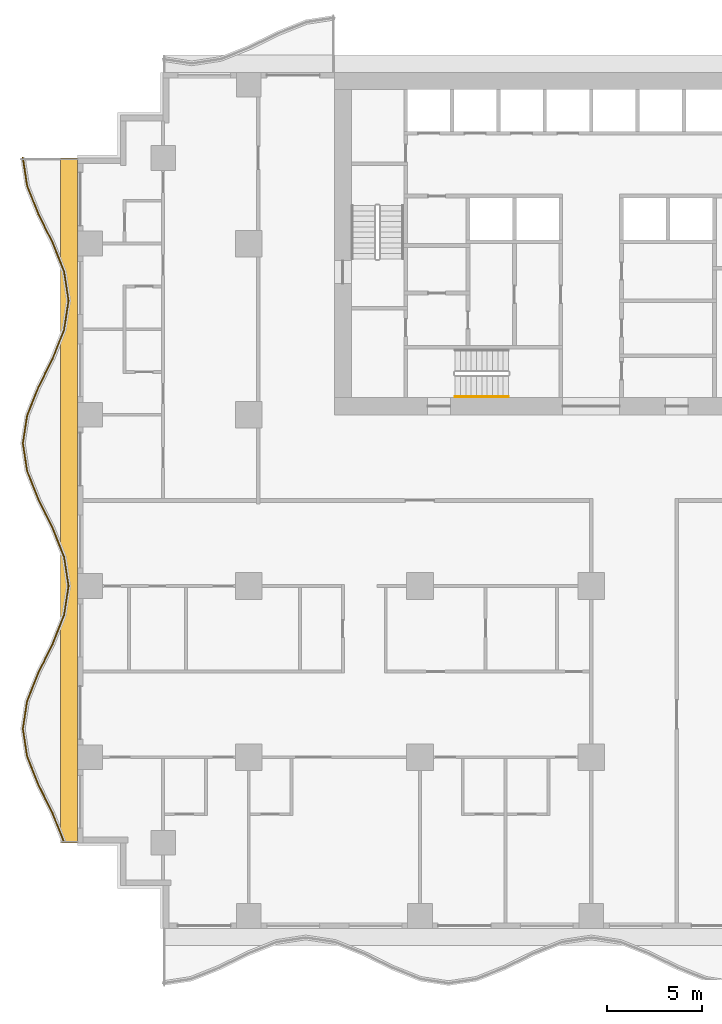
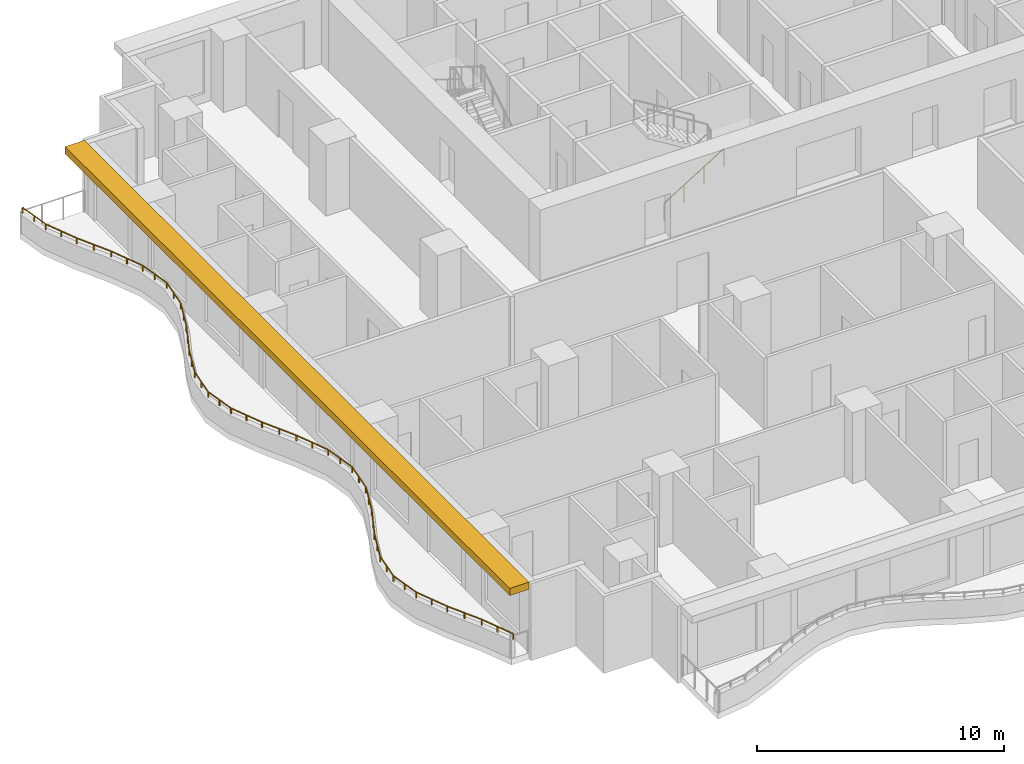
# One storey, part 9 of 14: 2 railings, 1 shading device.
"""IFC4 building model written with IfcOpenShell, lengths in metres."""

from ifc_helpers import new_model, si_unit, direction, frame, origin, origin_2d, place, context, subcontext, project, spatial, polyline, rectangle, circle, outline, extrude, material, layer, layer_set, type_object, element, save


model = new_model("IFC4")

# Units and contexts
model_context = context("Model", 3, precision=1e-05, world=origin(), true_north=direction((0.0, 1.0)))
body_context = subcontext(model_context, "Body", "Model", "MODEL_VIEW")
ifc_project = project(units=[si_unit("LENGTHUNIT", "METRE"), si_unit("AREAUNIT", "SQUARE_METRE"), si_unit("VOLUMEUNIT", "CUBIC_METRE"), si_unit("PLANEANGLEUNIT", "RADIAN"), si_unit("MASSUNIT", "GRAM", prefix="KILO")], contexts=[model_context])

# Site, building, storey
site_placement = place(None, origin())
site = spatial("IfcSite", under=ifc_project, at=site_placement, CompositionType="ELEMENT")
building_placement = place(site_placement, origin())
building = spatial("IfcBuilding", under=site, at=building_placement, Name="Orbiselva Terraces", CompositionType="ELEMENT")
storey_placement = place(building_placement, frame((0.0, 0.0, 84.6)))
storey = spatial("IfcBuildingStorey", under=building, at=storey_placement, Name="L21", CompositionType="ELEMENT", Elevation=84.6)

# Railings
ifc_material_1 = material(Name="Stainless steel", Category="steel")
railing_type_1 = type_object("IfcRailingType", Name="CORE-HANDRAIL-900", PredefinedType="HANDRAIL", material=ifc_material_1)
railing_1_placement = place(storey_placement, frame((-7.15, 5.45, 0.172727)))
element("IfcRailing", 1, at=railing_1_placement, inside=storey, type_object=railing_type_1, Name="L21 S3 stair handrail 1", PredefinedType="HANDRAIL", context=body_context, shape_type="SweptSolid", body=[
    extrude(circle(Radius=0.024, at=origin_2d()), frame((0.0, 0.0, 0.876), z_axis=(0.851088519012, 0.0, 0.52502222125), x_axis=(0.0, 1.0, 0.0)), (0.0, 0.0, 1.0), 3.289905),
    extrude(circle(Radius=0.021, at=origin_2d()), origin(), (0.0, 0.0, 1.0), 0.852),
    extrude(circle(Radius=0.021, at=origin_2d()), frame((0.933333, 0.0, 0.575758)), (0.0, 0.0, 1.0), 0.852),
    extrude(circle(Radius=0.021, at=origin_2d()), frame((1.866667, 0.0, 1.151515)), (0.0, 0.0, 1.0), 0.852),
    extrude(circle(Radius=0.021, at=origin_2d()), frame((2.8, 0.0, 1.727273)), (0.0, 0.0, 1.0), 0.852),
])
ifc_material_2 = material(Name="Bonded two-ply safety glass balustrade, stainless steel posts", Category="steel")
railing_type_2 = type_object("IfcRailingType", Name="ENV-BALUSTRADE-1200", PredefinedType="BALUSTRADE", material=ifc_material_2)
railing_2_placement = place(storey_placement, frame((-29.876434, 18.018879, 0.9)))
element("IfcRailing", 2, at=railing_2_placement, inside=storey, type_object=railing_type_2, Name="Balcony balustrade L21 W", PredefinedType="BALUSTRADE", context=body_context, shape_type="SweptSolid", body=[
    extrude(outline(polyline([(0.028868, 0.0), (0.014434, 0.025), (-0.014434, 0.025), (-0.028868, 0.0), (-0.014434, -0.025), (0.014434, -0.025), (0.028868, 0.0)])), frame((0.0, 0.0, 0.275), z_axis=(0.151034103443, -0.988528552748, 0.0), x_axis=(0.988528552748, 0.151034103443, 0.0)), (0.0, 0.0, 1.0), 1.503038),
    extrude(outline(polyline([(0.028868, 0.0), (0.014434, 0.025), (-0.014434, 0.025), (-0.028868, 0.0), (-0.014434, -0.025), (0.014434, -0.025), (0.028868, 0.0)])), frame((0.22701, -1.485796, 0.275), z_axis=(0.371391000387, -0.928476561272, 0.0), x_axis=(0.928476561272, 0.371391000387, 0.0)), (0.0, 0.0, 1.0), 1.596261),
    extrude(outline(polyline([(0.028868, 0.0), (0.014434, 0.025), (-0.014434, 0.025), (-0.028868, 0.0), (-0.014434, -0.025), (0.014434, -0.025), (0.028868, 0.0)])), frame((0.819847, -2.967887, 0.275), z_axis=(0.443212307306, -0.896416672454, 0.0), x_axis=(0.896416672454, 0.443212307306, 0.0)), (0.0, 0.0, 1.0), 1.673329),
    extrude(outline(polyline([(0.028868, 0.0), (0.014434, 0.025), (-0.014434, 0.025), (-0.028868, 0.0), (-0.014434, -0.025), (0.014434, -0.025), (0.028868, 0.0)])), frame((1.561487, -4.467887, 0.275), z_axis=(0.371390359967, -0.92847681744, 0.0), x_axis=(0.92847681744, 0.371390359967, 0.0)), (0.0, 0.0, 1.0), 1.634838),
    extrude(outline(polyline([(0.028868, 0.0), (0.014434, 0.025), (-0.014434, 0.025), (-0.028868, 0.0), (-0.014434, -0.025), (0.014434, -0.025), (0.028868, 0.0)])), frame((2.16865, -5.985796, 0.275), z_axis=(0.151034211256, -0.988528536275, 0.0), x_axis=(0.988528536275, 0.151034211256, 0.0)), (0.0, 0.0, 1.0), 1.550874),
    extrude(outline(polyline([(0.028868, 0.0), (0.014434, 0.025), (-0.014434, 0.025), (-0.028868, 0.0), (-0.014434, -0.025), (0.014434, -0.025), (0.028868, 0.0)])), frame((2.402885, -7.518879, 0.275), z_axis=(-0.151034211256, -0.988528536275, 0.0), x_axis=(0.988528536275, -0.151034211256, 0.0)), (0.0, 0.0, 1.0), 1.550874),
    extrude(outline(polyline([(0.028868, 0.0), (0.014434, 0.025), (-0.014434, 0.025), (-0.028868, 0.0), (-0.014434, -0.025), (0.014434, -0.025), (0.028868, 0.0)])), frame((2.16865, -9.051962, 0.275), z_axis=(-0.371390359967, -0.92847681744, 0.0), x_axis=(0.92847681744, -0.371390359967, 0.0)), (0.0, 0.0, 1.0), 1.634838),
    extrude(outline(polyline([(0.028868, 0.0), (0.014434, 0.025), (-0.014434, 0.025), (-0.028868, 0.0), (-0.014434, -0.025), (0.014434, -0.025), (0.028868, 0.0)])), frame((1.561487, -10.569871, 0.275), z_axis=(-0.443212307306, -0.896416672454, 0.0), x_axis=(0.896416672454, -0.443212307306, 0.0)), (0.0, 0.0, 1.0), 1.673329),
    extrude(outline(polyline([(0.028868, 0.0), (0.014434, 0.025), (-0.014434, 0.025), (-0.028868, 0.0), (-0.014434, -0.025), (0.014434, -0.025), (0.028868, 0.0)])), frame((0.819847, -12.069871, 0.275), z_axis=(-0.371391000387, -0.928476561272, 0.0), x_axis=(0.928476561272, -0.371391000387, 0.0)), (0.0, 0.0, 1.0), 1.596261),
    extrude(outline(polyline([(0.028868, 0.0), (0.014434, 0.025), (-0.014434, 0.025), (-0.028868, 0.0), (-0.014434, -0.025), (0.014434, -0.025), (0.028868, 0.0)])), frame((0.22701, -13.551962, 0.275), z_axis=(-0.151033749027, -0.988528606898, 0.0), x_axis=(0.988528606898, -0.151033749027, 0.0)), (0.0, 0.0, 1.0), 1.48394),
    extrude(outline(polyline([(0.028868, 0.0), (0.014434, 0.025), (-0.014434, 0.025), (-0.028868, 0.0), (-0.014434, -0.025), (0.014434, -0.025), (0.028868, 0.0)])), frame((0.002885, -15.018879, 0.275), z_axis=(0.151033749027, -0.988528606898, 0.0), x_axis=(0.988528606898, 0.151033749027, 0.0)), (0.0, 0.0, 1.0), 1.48394),
    extrude(outline(polyline([(0.028868, 0.0), (0.014434, 0.025), (-0.014434, 0.025), (-0.028868, 0.0), (-0.014434, -0.025), (0.014434, -0.025), (0.028868, 0.0)])), frame((0.22701, -16.485796, 0.275), z_axis=(0.371391000387, -0.928476561272, 0.0), x_axis=(0.928476561272, 0.371391000387, 0.0)), (0.0, 0.0, 1.0), 1.596261),
    extrude(outline(polyline([(0.028868, 0.0), (0.014434, 0.025), (-0.014434, 0.025), (-0.028868, 0.0), (-0.014434, -0.025), (0.014434, -0.025), (0.028868, 0.0)])), frame((0.819847, -17.967887, 0.275), z_axis=(0.443212307306, -0.896416672454, 0.0), x_axis=(0.896416672454, 0.443212307306, 0.0)), (0.0, 0.0, 1.0), 1.673329),
    extrude(outline(polyline([(0.028868, 0.0), (0.014434, 0.025), (-0.014434, 0.025), (-0.028868, 0.0), (-0.014434, -0.025), (0.014434, -0.025), (0.028868, 0.0)])), frame((1.561487, -19.467887, 0.275), z_axis=(0.371390359967, -0.92847681744, 0.0), x_axis=(0.92847681744, 0.371390359967, 0.0)), (0.0, 0.0, 1.0), 1.634838),
    extrude(outline(polyline([(0.028868, 0.0), (0.014434, 0.025), (-0.014434, 0.025), (-0.028868, 0.0), (-0.014434, -0.025), (0.014434, -0.025), (0.028868, 0.0)])), frame((2.16865, -20.985796, 0.275), z_axis=(0.151034211256, -0.988528536275, 0.0), x_axis=(0.988528536275, 0.151034211256, 0.0)), (0.0, 0.0, 1.0), 1.550874),
    extrude(outline(polyline([(0.028868, 0.0), (0.014434, 0.025), (-0.014434, 0.025), (-0.028868, 0.0), (-0.014434, -0.025), (0.014434, -0.025), (0.028868, 0.0)])), frame((2.402885, -22.518879, 0.275), z_axis=(-0.151034211256, -0.988528536275, 0.0), x_axis=(0.988528536275, -0.151034211256, 0.0)), (0.0, 0.0, 1.0), 1.550874),
    extrude(outline(polyline([(0.028868, 0.0), (0.014434, 0.025), (-0.014434, 0.025), (-0.028868, 0.0), (-0.014434, -0.025), (0.014434, -0.025), (0.028868, 0.0)])), frame((2.16865, -24.051962, 0.275), z_axis=(-0.371390359967, -0.92847681744, 0.0), x_axis=(0.92847681744, -0.371390359967, 0.0)), (0.0, 0.0, 1.0), 1.634838),
    extrude(outline(polyline([(0.028868, 0.0), (0.014434, 0.025), (-0.014434, 0.025), (-0.028868, 0.0), (-0.014434, -0.025), (0.014434, -0.025), (0.028868, 0.0)])), frame((1.561487, -25.569871, 0.275), z_axis=(-0.443212307306, -0.896416672454, 0.0), x_axis=(0.896416672454, -0.443212307306, 0.0)), (0.0, 0.0, 1.0), 1.673329),
    extrude(outline(polyline([(0.028868, 0.0), (0.014434, 0.025), (-0.014434, 0.025), (-0.028868, 0.0), (-0.014434, -0.025), (0.014434, -0.025), (0.028868, 0.0)])), frame((0.819847, -27.069871, 0.275), z_axis=(-0.371391000387, -0.928476561272, 0.0), x_axis=(0.928476561272, -0.371391000387, 0.0)), (0.0, 0.0, 1.0), 1.596261),
    extrude(outline(polyline([(0.028868, 0.0), (0.014434, 0.025), (-0.014434, 0.025), (-0.028868, 0.0), (-0.014434, -0.025), (0.014434, -0.025), (0.028868, 0.0)])), frame((0.22701, -28.551962, 0.275), z_axis=(-0.151033749027, -0.988528606898, 0.0), x_axis=(0.988528606898, -0.151033749027, 0.0)), (0.0, 0.0, 1.0), 1.48394),
    extrude(outline(polyline([(0.028868, 0.0), (0.014434, 0.025), (-0.014434, 0.025), (-0.028868, 0.0), (-0.014434, -0.025), (0.014434, -0.025), (0.028868, 0.0)])), frame((0.002885, -30.018879, 0.275), z_axis=(0.151033749027, -0.988528606898, 0.0), x_axis=(0.988528606898, 0.151033749027, 0.0)), (0.0, 0.0, 1.0), 1.48394),
    extrude(outline(polyline([(0.028868, 0.0), (0.014434, 0.025), (-0.014434, 0.025), (-0.028868, 0.0), (-0.014434, -0.025), (0.014434, -0.025), (0.028868, 0.0)])), frame((0.22701, -31.485796, 0.275), z_axis=(0.371391000387, -0.928476561272, 0.0), x_axis=(0.928476561272, 0.371391000387, 0.0)), (0.0, 0.0, 1.0), 1.596261),
    extrude(outline(polyline([(0.028868, 0.0), (0.014434, 0.025), (-0.014434, 0.025), (-0.028868, 0.0), (-0.014434, -0.025), (0.014434, -0.025), (0.028868, 0.0)])), frame((0.819847, -32.967887, 0.275), z_axis=(0.443212307306, -0.896416672454, 0.0), x_axis=(0.896416672454, 0.443212307306, 0.0)), (0.0, 0.0, 1.0), 1.673329),
    extrude(outline(polyline([(0.028868, 0.0), (0.014434, 0.025), (-0.014434, 0.025), (-0.028868, 0.0), (-0.014434, -0.025), (0.014434, -0.025), (0.028868, 0.0)])), frame((1.561487, -34.467887, 0.275), z_axis=(0.371390569957, -0.928476733444, 0.0), x_axis=(0.928476733444, 0.371390569957, 0.0)), (0.0, 0.0, 1.0), 1.620469),
    extrude(rectangle(XDim=0.05, YDim=0.05, at=origin_2d()), origin(), (0.0, 0.0, 1.0), 0.25),
    extrude(rectangle(XDim=0.05, YDim=0.05, at=origin_2d()), frame((0.113505, -0.742898, 0.0)), (0.0, 0.0, 1.0), 0.25),
    extrude(rectangle(XDim=0.05, YDim=0.05, at=origin_2d()), frame((0.22701, -1.485796, 0.0)), (0.0, 0.0, 1.0), 0.25),
    extrude(rectangle(XDim=0.05, YDim=0.05, at=origin_2d()), frame((0.523428, -2.226841, 0.0)), (0.0, 0.0, 1.0), 0.25),
    extrude(rectangle(XDim=0.05, YDim=0.05, at=origin_2d()), frame((0.819847, -2.967887, 0.0)), (0.0, 0.0, 1.0), 0.25),
    extrude(rectangle(XDim=0.05, YDim=0.05, at=origin_2d()), frame((1.190667, -3.717887, 0.0)), (0.0, 0.0, 1.0), 0.25),
    extrude(rectangle(XDim=0.05, YDim=0.05, at=origin_2d()), frame((1.561487, -4.467887, 0.0)), (0.0, 0.0, 1.0), 0.25),
    extrude(rectangle(XDim=0.05, YDim=0.05, at=origin_2d()), frame((1.865068, -5.226841, 0.0)), (0.0, 0.0, 1.0), 0.25),
    extrude(rectangle(XDim=0.05, YDim=0.05, at=origin_2d()), frame((2.16865, -5.985796, 0.0)), (0.0, 0.0, 1.0), 0.25),
    extrude(rectangle(XDim=0.05, YDim=0.05, at=origin_2d()), frame((2.285768, -6.752337, 0.0)), (0.0, 0.0, 1.0), 0.25),
    extrude(rectangle(XDim=0.05, YDim=0.05, at=origin_2d()), frame((2.402885, -7.518879, 0.0)), (0.0, 0.0, 1.0), 0.25),
    extrude(rectangle(XDim=0.05, YDim=0.05, at=origin_2d()), frame((2.285768, -8.28542, 0.0)), (0.0, 0.0, 1.0), 0.25),
    extrude(rectangle(XDim=0.05, YDim=0.05, at=origin_2d()), frame((2.16865, -9.051962, 0.0)), (0.0, 0.0, 1.0), 0.25),
    extrude(rectangle(XDim=0.05, YDim=0.05, at=origin_2d()), frame((1.865068, -9.810916, 0.0)), (0.0, 0.0, 1.0), 0.25),
    extrude(rectangle(XDim=0.05, YDim=0.05, at=origin_2d()), frame((1.561487, -10.569871, 0.0)), (0.0, 0.0, 1.0), 0.25),
    extrude(rectangle(XDim=0.05, YDim=0.05, at=origin_2d()), frame((1.190667, -11.319871, 0.0)), (0.0, 0.0, 1.0), 0.25),
    extrude(rectangle(XDim=0.05, YDim=0.05, at=origin_2d()), frame((0.819847, -12.069871, 0.0)), (0.0, 0.0, 1.0), 0.25),
    extrude(rectangle(XDim=0.05, YDim=0.05, at=origin_2d()), frame((0.523428, -12.810916, 0.0)), (0.0, 0.0, 1.0), 0.25),
    extrude(rectangle(XDim=0.05, YDim=0.05, at=origin_2d()), frame((0.22701, -13.551962, 0.0)), (0.0, 0.0, 1.0), 0.25),
    extrude(rectangle(XDim=0.05, YDim=0.05, at=origin_2d()), frame((0.114947, -14.28542, 0.0)), (0.0, 0.0, 1.0), 0.25),
    extrude(rectangle(XDim=0.05, YDim=0.05, at=origin_2d()), frame((0.002885, -15.018879, 0.0)), (0.0, 0.0, 1.0), 0.25),
    extrude(rectangle(XDim=0.05, YDim=0.05, at=origin_2d()), frame((0.114947, -15.752337, 0.0)), (0.0, 0.0, 1.0), 0.25),
    extrude(rectangle(XDim=0.05, YDim=0.05, at=origin_2d()), frame((0.22701, -16.485796, 0.0)), (0.0, 0.0, 1.0), 0.25),
    extrude(rectangle(XDim=0.05, YDim=0.05, at=origin_2d()), frame((0.523428, -17.226842, 0.0)), (0.0, 0.0, 1.0), 0.25),
    extrude(rectangle(XDim=0.05, YDim=0.05, at=origin_2d()), frame((0.819847, -17.967887, 0.0)), (0.0, 0.0, 1.0), 0.25),
    extrude(rectangle(XDim=0.05, YDim=0.05, at=origin_2d()), frame((1.190667, -18.717887, 0.0)), (0.0, 0.0, 1.0), 0.25),
    extrude(rectangle(XDim=0.05, YDim=0.05, at=origin_2d()), frame((1.561487, -19.467887, 0.0)), (0.0, 0.0, 1.0), 0.25),
    extrude(rectangle(XDim=0.05, YDim=0.05, at=origin_2d()), frame((1.865068, -20.226842, 0.0)), (0.0, 0.0, 1.0), 0.25),
    extrude(rectangle(XDim=0.05, YDim=0.05, at=origin_2d()), frame((2.16865, -20.985796, 0.0)), (0.0, 0.0, 1.0), 0.25),
    extrude(rectangle(XDim=0.05, YDim=0.05, at=origin_2d()), frame((2.285768, -21.752337, 0.0)), (0.0, 0.0, 1.0), 0.25),
    extrude(rectangle(XDim=0.05, YDim=0.05, at=origin_2d()), frame((2.402885, -22.518879, 0.0)), (0.0, 0.0, 1.0), 0.25),
    extrude(rectangle(XDim=0.05, YDim=0.05, at=origin_2d()), frame((2.285768, -23.28542, 0.0)), (0.0, 0.0, 1.0), 0.25),
    extrude(rectangle(XDim=0.05, YDim=0.05, at=origin_2d()), frame((2.16865, -24.051962, 0.0)), (0.0, 0.0, 1.0), 0.25),
    extrude(rectangle(XDim=0.05, YDim=0.05, at=origin_2d()), frame((1.865068, -24.810916, 0.0)), (0.0, 0.0, 1.0), 0.25),
    extrude(rectangle(XDim=0.05, YDim=0.05, at=origin_2d()), frame((1.561487, -25.569871, 0.0)), (0.0, 0.0, 1.0), 0.25),
    extrude(rectangle(XDim=0.05, YDim=0.05, at=origin_2d()), frame((1.190667, -26.319871, 0.0)), (0.0, 0.0, 1.0), 0.25),
    extrude(rectangle(XDim=0.05, YDim=0.05, at=origin_2d()), frame((0.819847, -27.069871, 0.0)), (0.0, 0.0, 1.0), 0.25),
    extrude(rectangle(XDim=0.05, YDim=0.05, at=origin_2d()), frame((0.523428, -27.810916, 0.0)), (0.0, 0.0, 1.0), 0.25),
    extrude(rectangle(XDim=0.05, YDim=0.05, at=origin_2d()), frame((0.22701, -28.551962, 0.0)), (0.0, 0.0, 1.0), 0.25),
    extrude(rectangle(XDim=0.05, YDim=0.05, at=origin_2d()), frame((0.114947, -29.28542, 0.0)), (0.0, 0.0, 1.0), 0.25),
    extrude(rectangle(XDim=0.05, YDim=0.05, at=origin_2d()), frame((0.002885, -30.018879, 0.0)), (0.0, 0.0, 1.0), 0.25),
    extrude(rectangle(XDim=0.05, YDim=0.05, at=origin_2d()), frame((0.114947, -30.752338, 0.0)), (0.0, 0.0, 1.0), 0.25),
    extrude(rectangle(XDim=0.05, YDim=0.05, at=origin_2d()), frame((0.22701, -31.485796, 0.0)), (0.0, 0.0, 1.0), 0.25),
    extrude(rectangle(XDim=0.05, YDim=0.05, at=origin_2d()), frame((0.523428, -32.226842, 0.0)), (0.0, 0.0, 1.0), 0.25),
    extrude(rectangle(XDim=0.05, YDim=0.05, at=origin_2d()), frame((0.819847, -32.967887, 0.0)), (0.0, 0.0, 1.0), 0.25),
    extrude(rectangle(XDim=0.05, YDim=0.05, at=origin_2d()), frame((1.190667, -33.717887, 0.0)), (0.0, 0.0, 1.0), 0.25),
    extrude(rectangle(XDim=0.05, YDim=0.05, at=origin_2d()), frame((1.561487, -34.467887, 0.0)), (0.0, 0.0, 1.0), 0.25),
    extrude(rectangle(XDim=0.05, YDim=0.05, at=origin_2d()), frame((1.8624, -35.220171, 0.0)), (0.0, 0.0, 1.0), 0.25),
    extrude(rectangle(XDim=0.05, YDim=0.05, at=origin_2d()), frame((2.163314, -35.972455, 0.0)), (0.0, 0.0, 1.0), 0.25),
])

# Shading device
ifc_material_3 = material(Name="Terracotta baguette sunshade", Category="masonry")
ifc_layer = layer(ifc_material_3, 0.35)
ifc_layer_set = layer_set([ifc_layer], Name="Terracotta baguette sunshade")
shading_device_type = type_object("IfcShadingDeviceType", Name="ENV-SUNSHADE-900x350", PredefinedType="USERDEFINED", material=ifc_layer_set)
shading_device_placement = place(storey_placement, frame((0.0, 0.0, 3.15)))
element("IfcShadingDevice", 3, at=shading_device_placement, inside=storey, type_object=shading_device_type, Name="Sunshade band L21 W", ObjectType="SUNSHADE", PredefinedType="USERDEFINED", context=body_context, shape_type="SweptSolid", body=[
    extrude(outline(polyline([(-27.9, 18.0), (-27.9, -18.0), (-27.0, -18.0), (-27.0, 18.0), (-27.9, 18.0)])), origin(), (0.0, 0.0, 1.0), 0.35),
])

save(model, "model.ifc")
